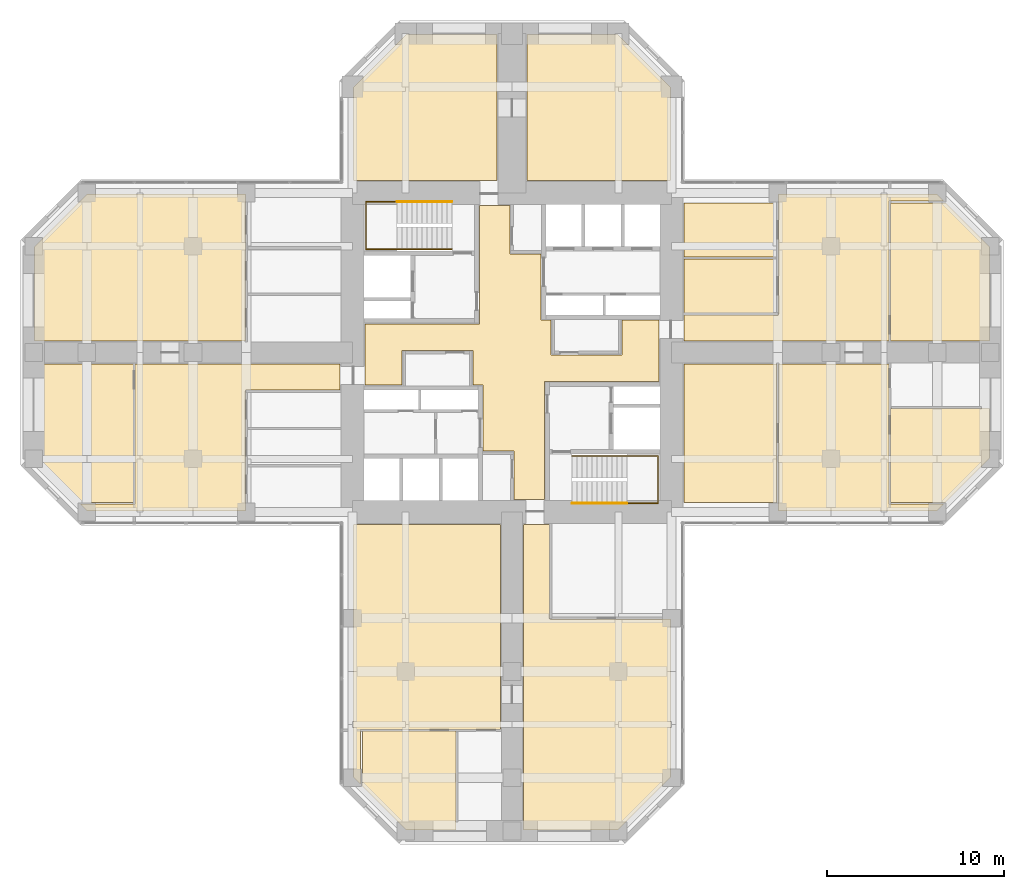
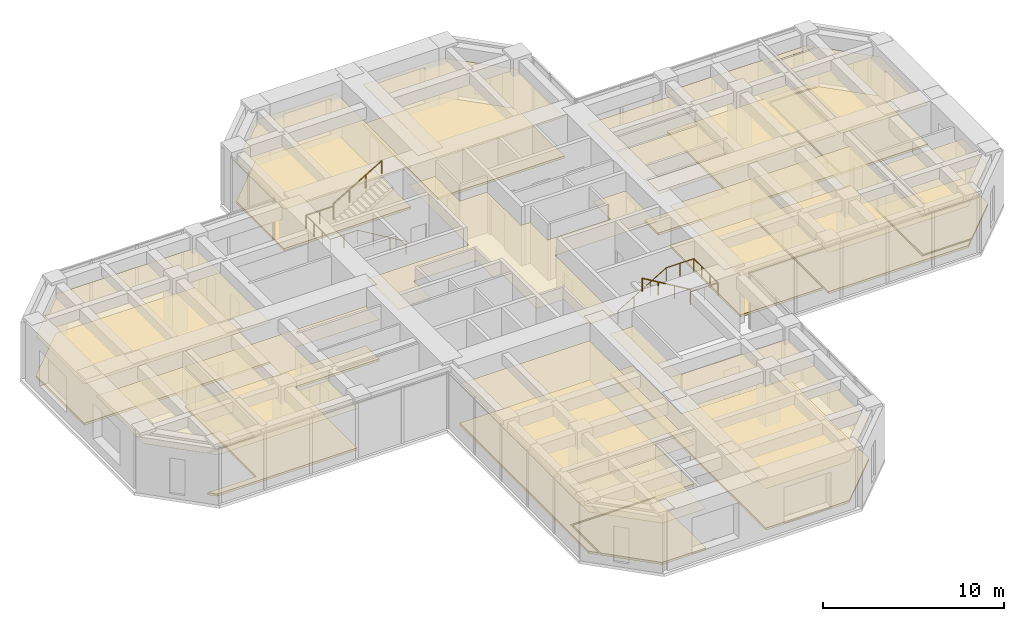
# One storey, part 12 of 12: 28 coverings, 4 railings.
"""IFC4 building model written with IfcOpenShell, lengths in metres."""

from ifc_helpers import new_model, si_unit, direction, frame, origin, origin_2d, place, context, subcontext, project, spatial, polyline, circle, outline, extrude, material, layer, layer_set, constituent, constituent_set, type_object, element, save


model = new_model("IFC4")

# Units and contexts
model_context = context("Model", 3, precision=1e-05, world=origin(), true_north=direction((0.0, 1.0)))
body_context = subcontext(model_context, "Body", "Model", "MODEL_VIEW")
ifc_project = project(units=[si_unit("LENGTHUNIT", "METRE"), si_unit("AREAUNIT", "SQUARE_METRE"), si_unit("VOLUMEUNIT", "CUBIC_METRE"), si_unit("PLANEANGLEUNIT", "RADIAN"), si_unit("MASSUNIT", "GRAM", prefix="KILO")], contexts=[model_context])

# Site, building, storey
site_placement = place(None, origin())
site = spatial("IfcSite", under=ifc_project, at=site_placement, CompositionType="ELEMENT")
building_placement = place(site_placement, origin())
building = spatial("IfcBuilding", under=site, at=building_placement, Name="Torre Cruceta", CompositionType="ELEMENT")
storey_placement = place(building_placement, frame((0.0, 0.0, 104.5)))
storey = spatial("IfcBuildingStorey", under=building, at=storey_placement, Name="L25", CompositionType="ELEMENT", Elevation=104.5)

# Railings
ifc_material_1 = material(Name="Stainless steel 1.4401", Category="steel")
railing_type = type_object("IfcRailingType", Name="HANDRAIL 900", PredefinedType="HANDRAIL", material=ifc_material_1)
railing_1_placement = place(storey_placement, frame((-3.39990234375, 5.8349609375, 0.166748046875)))
element("IfcRailing", 1, at=railing_1_placement, inside=storey, type_object=railing_type, Name="Handrail HR1 ST1 L25", PredefinedType="HANDRAIL", context=body_context, shape_type="SweptSolid", body=[
    extrude(circle(Radius=0.02392578125, at=origin_2d()), frame((0.0, 0.0, 0.8759765625), z_axis=(-0.859308565015, 0.0, 0.511457515432), x_axis=(0.0, -1.0, 0.0)), (0.0, 0.0, 1.0), 3.58447265625),
    extrude(circle(Radius=0.02392578125, at=origin_2d()), frame((-3.080078125, 0.0, 2.708984375), z_axis=(-1.0, 0.0, 0.0), x_axis=(0.0, -1.0, 0.0)), (0.0, 0.0, 1.0), 1.760009765625),
    extrude(circle(Radius=0.02392578125, at=origin_2d()), frame((-4.840087890625, 0.0, 2.708984375), z_axis=(0.0, 1.0, 0.0), x_axis=(-1.0, 0.0, 0.0)), (0.0, 0.0, 1.0), 2.679931640625),
    extrude(circle(Radius=0.02392578125, at=origin_2d()), frame((-4.840087890625, 2.679931640625, 2.708984375), z_axis=(1.0, 0.0, 0.0), x_axis=(0.0, 1.0, 0.0)), (0.0, 0.0, 1.0), 1.760009765625),
    extrude(circle(Radius=0.02099609375, at=origin_2d()), origin(), (0.0, 0.0, 1.0), 0.851806640625),
    extrude(circle(Radius=0.02099609375, at=origin_2d()), frame((-1.026611328125, 0.0, 0.611083984375)), (0.0, 0.0, 1.0), 0.851806640625),
    extrude(circle(Radius=0.02099609375, at=origin_2d()), frame((-2.053466796875, 0.0, 1.22216796875)), (0.0, 0.0, 1.0), 0.851806640625),
    extrude(circle(Radius=0.02099609375, at=origin_2d()), frame((-3.080078125, 0.0, 1.833251953125)), (0.0, 0.0, 1.0), 0.851806640625),
    extrude(circle(Radius=0.02099609375, at=origin_2d()), frame((-3.9599609375, 0.0, 1.833251953125)), (0.0, 0.0, 1.0), 0.851806640625),
    extrude(circle(Radius=0.02099609375, at=origin_2d()), frame((-4.840087890625, 0.0, 1.833251953125)), (0.0, 0.0, 1.0), 0.851806640625),
    extrude(circle(Radius=0.02099609375, at=origin_2d()), frame((-4.840087890625, 0.893310546875, 1.833251953125)), (0.0, 0.0, 1.0), 0.851806640625),
    extrude(circle(Radius=0.02099609375, at=origin_2d()), frame((-4.840087890625, 1.78662109375, 1.833251953125)), (0.0, 0.0, 1.0), 0.851806640625),
    extrude(circle(Radius=0.02099609375, at=origin_2d()), frame((-4.840087890625, 2.679931640625, 1.833251953125)), (0.0, 0.0, 1.0), 0.851806640625),
    extrude(circle(Radius=0.02099609375, at=origin_2d()), frame((-3.9599609375, 2.679931640625, 1.833251953125)), (0.0, 0.0, 1.0), 0.851806640625),
    extrude(circle(Radius=0.02099609375, at=origin_2d()), frame((-3.080078125, 2.679931640625, 1.833251953125)), (0.0, 0.0, 1.0), 0.851806640625),
])
railing_2_placement = place(storey_placement, frame((-6.47998046875, 8.514892578125, 2.166748046875)))
element("IfcRailing", 2, at=railing_2_placement, inside=storey, type_object=railing_type, Name="Handrail HR1 ST1 L25", PredefinedType="HANDRAIL", context=body_context, shape_type="SweptSolid", body=[
    extrude(circle(Radius=0.02392578125, at=origin_2d()), frame((0.0, 0.0, 0.8759765625), z_axis=(0.859308565015, 0.0, 0.511457515432), x_axis=(0.0, 1.0, 0.0)), (0.0, 0.0, 1.0), 3.58447265625),
    extrude(circle(Radius=0.02099609375, at=origin_2d()), origin(), (0.0, 0.0, 1.0), 0.851806640625),
    extrude(circle(Radius=0.02099609375, at=origin_2d()), frame((1.026611328125, 0.0, 0.611083984375)), (0.0, 0.0, 1.0), 0.851806640625),
    extrude(circle(Radius=0.02099609375, at=origin_2d()), frame((2.053466796875, 0.0, 1.22216796875)), (0.0, 0.0, 1.0), 0.851806640625),
    extrude(circle(Radius=0.02099609375, at=origin_2d()), frame((3.080078125, 0.0, 1.833251953125)), (0.0, 0.0, 1.0), 0.851806640625),
])
railing_3_placement = place(storey_placement, frame((3.39990234375, -5.8349609375, 0.166748046875)))
element("IfcRailing", 3, at=railing_3_placement, inside=storey, type_object=railing_type, Name="Handrail HR1 ST2 L25", PredefinedType="HANDRAIL", context=body_context, shape_type="SweptSolid", body=[
    extrude(circle(Radius=0.02392578125, at=origin_2d()), frame((0.0, 0.0, 0.8759765625), z_axis=(0.859308565015, 0.0, 0.511457515432), x_axis=(0.0, 1.0, 0.0)), (0.0, 0.0, 1.0), 3.58447265625),
    extrude(circle(Radius=0.02392578125, at=origin_2d()), frame((3.080078125, 0.0, 2.708984375), z_axis=(1.0, 0.0, 0.0), x_axis=(0.0, 1.0, 0.0)), (0.0, 0.0, 1.0), 1.760009765625),
    extrude(circle(Radius=0.02392578125, at=origin_2d()), frame((4.840087890625, 0.0, 2.708984375), z_axis=(0.0, -1.0, 0.0), x_axis=(1.0, 0.0, 0.0)), (0.0, 0.0, 1.0), 2.679931640625),
    extrude(circle(Radius=0.02392578125, at=origin_2d()), frame((4.840087890625, -2.679931640625, 2.708984375), z_axis=(-1.0, 0.0, 0.0), x_axis=(0.0, -1.0, 0.0)), (0.0, 0.0, 1.0), 1.760009765625),
    extrude(circle(Radius=0.02099609375, at=origin_2d()), origin(), (0.0, 0.0, 1.0), 0.851806640625),
    extrude(circle(Radius=0.02099609375, at=origin_2d()), frame((1.026611328125, 0.0, 0.611083984375)), (0.0, 0.0, 1.0), 0.851806640625),
    extrude(circle(Radius=0.02099609375, at=origin_2d()), frame((2.053466796875, 0.0, 1.22216796875)), (0.0, 0.0, 1.0), 0.851806640625),
    extrude(circle(Radius=0.02099609375, at=origin_2d()), frame((3.080078125, 0.0, 1.833251953125)), (0.0, 0.0, 1.0), 0.851806640625),
    extrude(circle(Radius=0.02099609375, at=origin_2d()), frame((3.9599609375, 0.0, 1.833251953125)), (0.0, 0.0, 1.0), 0.851806640625),
    extrude(circle(Radius=0.02099609375, at=origin_2d()), frame((4.840087890625, 0.0, 1.833251953125)), (0.0, 0.0, 1.0), 0.851806640625),
    extrude(circle(Radius=0.02099609375, at=origin_2d()), frame((4.840087890625, -0.893310546875, 1.833251953125)), (0.0, 0.0, 1.0), 0.851806640625),
    extrude(circle(Radius=0.02099609375, at=origin_2d()), frame((4.840087890625, -1.78662109375, 1.833251953125)), (0.0, 0.0, 1.0), 0.851806640625),
    extrude(circle(Radius=0.02099609375, at=origin_2d()), frame((4.840087890625, -2.679931640625, 1.833251953125)), (0.0, 0.0, 1.0), 0.851806640625),
    extrude(circle(Radius=0.02099609375, at=origin_2d()), frame((3.9599609375, -2.679931640625, 1.833251953125)), (0.0, 0.0, 1.0), 0.851806640625),
    extrude(circle(Radius=0.02099609375, at=origin_2d()), frame((3.080078125, -2.679931640625, 1.833251953125)), (0.0, 0.0, 1.0), 0.851806640625),
])
railing_4_placement = place(storey_placement, frame((6.47998046875, -8.514892578125, 2.166748046875)))
element("IfcRailing", 4, at=railing_4_placement, inside=storey, type_object=railing_type, Name="Handrail HR1 ST2 L25", PredefinedType="HANDRAIL", context=body_context, shape_type="SweptSolid", body=[
    extrude(circle(Radius=0.02392578125, at=origin_2d()), frame((0.0, 0.0, 0.8759765625), z_axis=(-0.859308565015, 0.0, 0.511457515432), x_axis=(0.0, -1.0, 0.0)), (0.0, 0.0, 1.0), 3.58447265625),
    extrude(circle(Radius=0.02099609375, at=origin_2d()), origin(), (0.0, 0.0, 1.0), 0.851806640625),
    extrude(circle(Radius=0.02099609375, at=origin_2d()), frame((-1.026611328125, 0.0, 0.611083984375)), (0.0, 0.0, 1.0), 0.851806640625),
    extrude(circle(Radius=0.02099609375, at=origin_2d()), frame((-2.053466796875, 0.0, 1.22216796875)), (0.0, 0.0, 1.0), 0.851806640625),
    extrude(circle(Radius=0.02099609375, at=origin_2d()), frame((-3.080078125, 0.0, 1.833251953125)), (0.0, 0.0, 1.0), 0.851806640625),
])

# Coverings
ifc_material_2 = material(Name="Steel DX51D", Category="steel")
ifc_constituent_1 = constituent(ifc_material_2, Name="Panel casing")
ifc_material_3 = material(Name="Calcium sulphate", Category="gypsum")
ifc_constituent_2 = constituent(ifc_material_3, Name="Panel core")
ifc_constituent_set = constituent_set(constituents=[ifc_constituent_1, ifc_constituent_2], Name="Raised access floor panel")
covering_type_1 = type_object("IfcCoveringType", Name="RAISED ACCESS FLOOR 150", PredefinedType="FLOORING", material=ifc_constituent_set)
covering_1_placement = place(storey_placement, origin())
element("IfcCovering", 5, at=covering_1_placement, inside=storey, type_object=covering_type_1, Name="Raised floor L25-027", PredefinedType="FLOORING", context=body_context, shape_type="SweptSolid", body=[
    extrude(outline(polyline([(-8.949951171875, 9.699951171875), (-8.949951171875, 14.979248046875), (-5.979248046875, 17.949951171875), (-0.85009765625, 17.949951171875), (-0.85009765625, 9.699951171875), (-8.949951171875, 9.699951171875)])), origin(), (0.0, 0.0, 1.0), 0.14990234375),
])
covering_2_placement = place(storey_placement, origin())
element("IfcCovering", 6, at=covering_2_placement, inside=storey, type_object=covering_type_1, Name="Raised floor L25-028", PredefinedType="FLOORING", context=body_context, shape_type="SweptSolid", body=[
    extrude(outline(polyline([(5.979248046875, 17.949951171875), (8.949951171875, 14.979248046875), (8.949951171875, 9.699951171875), (0.85009765625, 9.699951171875), (0.85009765625, 17.949951171875), (5.979248046875, 17.949951171875)])), origin(), (0.0, 0.0, 1.0), 0.14990234375),
])
covering_3_placement = place(storey_placement, origin())
element("IfcCovering", 7, at=covering_3_placement, inside=storey, type_object=covering_type_1, Name="Raised floor L25-031", PredefinedType="FLOORING", context=body_context, shape_type="SweptSolid", body=[
    extrude(outline(polyline([(9.699951171875, -8.449951171875), (9.699951171875, -0.64990234375), (14.949951171875, -0.64990234375), (14.949951171875, -8.449951171875), (9.699951171875, -8.449951171875)])), origin(), (0.0, 0.0, 1.0), 0.14990234375),
])
covering_4_placement = place(storey_placement, origin())
element("IfcCovering", 8, at=covering_4_placement, inside=storey, type_object=covering_type_1, Name="Raised floor L25-032", PredefinedType="FLOORING", context=body_context, shape_type="SweptSolid", body=[
    extrude(outline(polyline([(26.949951171875, 0.64990234375), (21.3701171875, 0.64990234375), (21.3701171875, 8.449951171875), (24.479248046875, 8.449951171875), (26.949951171875, 5.979248046875), (26.949951171875, 0.64990234375)])), origin(), (0.0, 0.0, 1.0), 0.14990234375),
])
covering_5_placement = place(storey_placement, origin())
element("IfcCovering", 9, at=covering_5_placement, inside=storey, type_object=covering_type_1, Name="Raised floor L25-034", PredefinedType="FLOORING", context=body_context, shape_type="SweptSolid", body=[
    extrude(outline(polyline([(24.479248046875, -8.449951171875), (21.3701171875, -8.449951171875), (21.3701171875, -3.16796875), (26.949951171875, -3.16796875), (26.949951171875, -5.979248046875), (24.479248046875, -8.449951171875)])), origin(), (0.0, 0.0, 1.0), 0.14990234375),
])
covering_6_placement = place(storey_placement, origin())
element("IfcCovering", 10, at=covering_6_placement, inside=storey, type_object=covering_type_1, Name="Raised floor L25-035", PredefinedType="FLOORING", context=body_context, shape_type="SweptSolid", body=[
    extrude(outline(polyline([(9.699951171875, 2.125), (15.050048828125, 2.125), (15.050048828125, 8.949951171875), (23.979248046875, 8.949951171875), (24.37939453125, 8.550048828125), (21.27001953125, 8.550048828125), (21.27001953125, 0.64990234375), (9.699951171875, 0.64990234375), (9.699951171875, 2.125)])), origin(), (0.0, 0.0, 1.0), 0.14990234375),
])
covering_7_placement = place(storey_placement, origin())
element("IfcCovering", 11, at=covering_7_placement, inside=storey, type_object=covering_type_1, Name="Raised floor L25-036", PredefinedType="FLOORING", context=body_context, shape_type="SweptSolid", body=[
    extrude(outline(polyline([(15.050048828125, -8.949951171875), (15.050048828125, -0.64990234375), (21.27001953125, -0.64990234375), (21.27001953125, -8.550048828125), (24.37939453125, -8.550048828125), (23.979248046875, -8.949951171875), (15.050048828125, -8.949951171875)])), origin(), (0.0, 0.0, 1.0), 0.14990234375),
])
covering_8_placement = place(storey_placement, origin())
element("IfcCovering", 12, at=covering_8_placement, inside=storey, type_object=covering_type_1, Name="Raised floor L25-039", PredefinedType="FLOORING", context=body_context, shape_type="SweptSolid", body=[
    extrude(outline(polyline([(-8.449951171875, -24.479248046875), (-8.449951171875, -21.3701171875), (-3.16796875, -21.3701171875), (-3.16796875, -26.949951171875), (-5.979248046875, -26.949951171875), (-8.449951171875, -24.479248046875)])), origin(), (0.0, 0.0, 1.0), 0.14990234375),
])
covering_9_placement = place(storey_placement, origin())
element("IfcCovering", 13, at=covering_9_placement, inside=storey, type_object=covering_type_1, Name="Raised floor L25-040", PredefinedType="FLOORING", context=body_context, shape_type="SweptSolid", body=[
    extrude(outline(polyline([(0.64990234375, -26.949951171875), (0.64990234375, -9.699951171875), (2.125, -9.699951171875), (2.125, -15.050048828125), (8.949951171875, -15.050048828125), (8.949951171875, -23.979248046875), (5.979248046875, -26.949951171875), (0.64990234375, -26.949951171875)])), origin(), (0.0, 0.0, 1.0), 0.14990234375),
])
covering_10_placement = place(storey_placement, origin())
element("IfcCovering", 14, at=covering_10_placement, inside=storey, type_object=covering_type_1, Name="Raised floor L25-041", PredefinedType="FLOORING", context=body_context, shape_type="SweptSolid", body=[
    extrude(outline(polyline([(-8.550048828125, -21.27001953125), (-8.550048828125, -24.37939453125), (-8.949951171875, -23.979248046875), (-8.949951171875, -9.699951171875), (-0.64990234375, -9.699951171875), (-0.64990234375, -21.27001953125), (-8.550048828125, -21.27001953125)])), origin(), (0.0, 0.0, 1.0), 0.14990234375),
])
covering_11_placement = place(storey_placement, origin())
element("IfcCovering", 15, at=covering_11_placement, inside=storey, type_object=covering_type_1, Name="Raised floor L25-049", PredefinedType="FLOORING", context=body_context, shape_type="SweptSolid", body=[
    extrude(outline(polyline([(-9.699951171875, -2.125), (-15.050048828125, -2.125), (-15.050048828125, -8.949951171875), (-23.979248046875, -8.949951171875), (-24.37939453125, -8.550048828125), (-21.27001953125, -8.550048828125), (-21.27001953125, -0.64990234375), (-9.699951171875, -0.64990234375), (-9.699951171875, -2.125)])), origin(), (0.0, 0.0, 1.0), 0.14990234375),
])
covering_12_placement = place(storey_placement, origin())
element("IfcCovering", 16, at=covering_12_placement, inside=storey, type_object=covering_type_1, Name="Raised floor L25-050", PredefinedType="FLOORING", context=body_context, shape_type="SweptSolid", body=[
    extrude(outline(polyline([(-23.979248046875, 8.949951171875), (-15.050048828125, 8.949951171875), (-15.050048828125, 0.64990234375), (-26.949951171875, 0.64990234375), (-26.949951171875, 5.979248046875), (-23.979248046875, 8.949951171875)])), origin(), (0.0, 0.0, 1.0), 0.14990234375),
])
ifc_material_4 = material(Name="Mineral fibre ceiling tile", Category="gypsum")
ifc_layer = layer(ifc_material_4, 0.02001953125)
ifc_layer_set = layer_set([ifc_layer], Name="Mineral fibre ceiling tile")
covering_type_2 = type_object("IfcCoveringType", Name="SUSPENDED CEILING 20", PredefinedType="CEILING", material=ifc_layer_set)
covering_13_placement = place(storey_placement, frame((0.0, 0.0, 2.780029296875)))
element("IfcCovering", 17, at=covering_13_placement, inside=storey, type_object=covering_type_2, Name="Ceiling L25-001", PredefinedType="CEILING", context=body_context, shape_type="SweptSolid", body=[
    extrude(outline(polyline([(1.824951171875, -8.300048828125), (0.125, -8.300048828125), (0.125, -5.550048828125), (-1.625, -5.550048828125), (-1.625, -1.824951171875), (-2.199951171875, -1.824951171875), (-2.199951171875, 0.125), (-6.199951171875, 0.125), (-6.199951171875, -1.824951171875), (-8.300048828125, -1.824951171875), (-8.300048828125, 1.625), (-1.824951171875, 1.625), (-1.824951171875, 8.300048828125), (-0.125, 8.300048828125), (-0.125, 5.550048828125), (1.625, 5.550048828125), (1.625, 1.824951171875), (2.199951171875, 1.824951171875), (2.199951171875, -0.125), (6.199951171875, -0.125), (6.199951171875, 1.824951171875), (8.300048828125, 1.824951171875), (8.300048828125, -1.625), (1.824951171875, -1.625), (1.824951171875, -8.300048828125)])), origin(), (0.0, 0.0, 1.0), 0.02001953125),
])
covering_14_placement = place(storey_placement, frame((0.0, 0.0, 2.780029296875)))
element("IfcCovering", 18, at=covering_14_placement, inside=storey, type_object=covering_type_2, Name="Ceiling L25-027", PredefinedType="CEILING", context=body_context, shape_type="SweptSolid", body=[
    extrude(outline(polyline([(-8.949951171875, 9.699951171875), (-8.949951171875, 14.979248046875), (-5.979248046875, 17.949951171875), (-0.85009765625, 17.949951171875), (-0.85009765625, 9.699951171875), (-8.949951171875, 9.699951171875)])), origin(), (0.0, 0.0, 1.0), 0.02001953125),
])
covering_15_placement = place(storey_placement, frame((0.0, 0.0, 2.780029296875)))
element("IfcCovering", 19, at=covering_15_placement, inside=storey, type_object=covering_type_2, Name="Ceiling L25-028", PredefinedType="CEILING", context=body_context, shape_type="SweptSolid", body=[
    extrude(outline(polyline([(5.979248046875, 17.949951171875), (8.949951171875, 14.979248046875), (8.949951171875, 9.699951171875), (0.85009765625, 9.699951171875), (0.85009765625, 17.949951171875), (5.979248046875, 17.949951171875)])), origin(), (0.0, 0.0, 1.0), 0.02001953125),
])
covering_16_placement = place(storey_placement, frame((0.0, 0.0, 2.780029296875)))
element("IfcCovering", 20, at=covering_16_placement, inside=storey, type_object=covering_type_2, Name="Ceiling L25-029", PredefinedType="CEILING", context=body_context, shape_type="SweptSolid", body=[
    extrude(outline(polyline([(9.699951171875, 2.22509765625), (9.699951171875, 5.28759765625), (14.949951171875, 5.28759765625), (14.949951171875, 2.22509765625), (9.699951171875, 2.22509765625)])), origin(), (0.0, 0.0, 1.0), 0.02001953125),
])
covering_17_placement = place(storey_placement, frame((0.0, 0.0, 2.780029296875)))
element("IfcCovering", 21, at=covering_17_placement, inside=storey, type_object=covering_type_2, Name="Ceiling L25-030", PredefinedType="CEILING", context=body_context, shape_type="SweptSolid", body=[
    extrude(outline(polyline([(9.699951171875, 5.387451171875), (9.699951171875, 8.449951171875), (14.949951171875, 8.449951171875), (14.949951171875, 5.387451171875), (9.699951171875, 5.387451171875)])), origin(), (0.0, 0.0, 1.0), 0.02001953125),
])
covering_18_placement = place(storey_placement, frame((0.0, 0.0, 2.780029296875)))
element("IfcCovering", 22, at=covering_18_placement, inside=storey, type_object=covering_type_2, Name="Ceiling L25-031", PredefinedType="CEILING", context=body_context, shape_type="SweptSolid", body=[
    extrude(outline(polyline([(9.699951171875, -8.449951171875), (9.699951171875, -0.64990234375), (14.949951171875, -0.64990234375), (14.949951171875, -8.449951171875), (9.699951171875, -8.449951171875)])), origin(), (0.0, 0.0, 1.0), 0.02001953125),
])
covering_19_placement = place(storey_placement, frame((0.0, 0.0, 2.780029296875)))
element("IfcCovering", 23, at=covering_19_placement, inside=storey, type_object=covering_type_2, Name="Ceiling L25-032", PredefinedType="CEILING", context=body_context, shape_type="SweptSolid", body=[
    extrude(outline(polyline([(26.949951171875, 0.64990234375), (21.3701171875, 0.64990234375), (21.3701171875, 8.449951171875), (24.479248046875, 8.449951171875), (26.949951171875, 5.979248046875), (26.949951171875, 0.64990234375)])), origin(), (0.0, 0.0, 1.0), 0.02001953125),
])
covering_20_placement = place(storey_placement, frame((0.0, 0.0, 2.780029296875)))
element("IfcCovering", 24, at=covering_20_placement, inside=storey, type_object=covering_type_2, Name="Ceiling L25-034", PredefinedType="CEILING", context=body_context, shape_type="SweptSolid", body=[
    extrude(outline(polyline([(24.479248046875, -8.449951171875), (21.3701171875, -8.449951171875), (21.3701171875, -3.16796875), (26.949951171875, -3.16796875), (26.949951171875, -5.979248046875), (24.479248046875, -8.449951171875)])), origin(), (0.0, 0.0, 1.0), 0.02001953125),
])
covering_21_placement = place(storey_placement, frame((0.0, 0.0, 2.780029296875)))
element("IfcCovering", 25, at=covering_21_placement, inside=storey, type_object=covering_type_2, Name="Ceiling L25-035", PredefinedType="CEILING", context=body_context, shape_type="SweptSolid", body=[
    extrude(outline(polyline([(9.699951171875, 2.125), (15.050048828125, 2.125), (15.050048828125, 8.949951171875), (23.979248046875, 8.949951171875), (24.37939453125, 8.550048828125), (21.27001953125, 8.550048828125), (21.27001953125, 0.64990234375), (9.699951171875, 0.64990234375), (9.699951171875, 2.125)])), origin(), (0.0, 0.0, 1.0), 0.02001953125),
])
covering_22_placement = place(storey_placement, frame((0.0, 0.0, 2.780029296875)))
element("IfcCovering", 26, at=covering_22_placement, inside=storey, type_object=covering_type_2, Name="Ceiling L25-036", PredefinedType="CEILING", context=body_context, shape_type="SweptSolid", body=[
    extrude(outline(polyline([(15.050048828125, -8.949951171875), (15.050048828125, -0.64990234375), (21.27001953125, -0.64990234375), (21.27001953125, -8.550048828125), (24.37939453125, -8.550048828125), (23.979248046875, -8.949951171875), (15.050048828125, -8.949951171875)])), origin(), (0.0, 0.0, 1.0), 0.02001953125),
])
covering_23_placement = place(storey_placement, frame((0.0, 0.0, 2.780029296875)))
element("IfcCovering", 27, at=covering_23_placement, inside=storey, type_object=covering_type_2, Name="Ceiling L25-039", PredefinedType="CEILING", context=body_context, shape_type="SweptSolid", body=[
    extrude(outline(polyline([(-8.449951171875, -24.479248046875), (-8.449951171875, -21.3701171875), (-3.16796875, -21.3701171875), (-3.16796875, -26.949951171875), (-5.979248046875, -26.949951171875), (-8.449951171875, -24.479248046875)])), origin(), (0.0, 0.0, 1.0), 0.02001953125),
])
covering_24_placement = place(storey_placement, frame((0.0, 0.0, 2.780029296875)))
element("IfcCovering", 28, at=covering_24_placement, inside=storey, type_object=covering_type_2, Name="Ceiling L25-040", PredefinedType="CEILING", context=body_context, shape_type="SweptSolid", body=[
    extrude(outline(polyline([(0.64990234375, -26.949951171875), (0.64990234375, -9.699951171875), (2.125, -9.699951171875), (2.125, -15.050048828125), (8.949951171875, -15.050048828125), (8.949951171875, -23.979248046875), (5.979248046875, -26.949951171875), (0.64990234375, -26.949951171875)])), origin(), (0.0, 0.0, 1.0), 0.02001953125),
])
covering_25_placement = place(storey_placement, frame((0.0, 0.0, 2.780029296875)))
element("IfcCovering", 29, at=covering_25_placement, inside=storey, type_object=covering_type_2, Name="Ceiling L25-041", PredefinedType="CEILING", context=body_context, shape_type="SweptSolid", body=[
    extrude(outline(polyline([(-8.550048828125, -21.27001953125), (-8.550048828125, -24.37939453125), (-8.949951171875, -23.979248046875), (-8.949951171875, -9.699951171875), (-0.64990234375, -9.699951171875), (-0.64990234375, -21.27001953125), (-8.550048828125, -21.27001953125)])), origin(), (0.0, 0.0, 1.0), 0.02001953125),
])
covering_26_placement = place(storey_placement, frame((0.0, 0.0, 2.780029296875)))
element("IfcCovering", 30, at=covering_26_placement, inside=storey, type_object=covering_type_2, Name="Ceiling L25-048", PredefinedType="CEILING", context=body_context, shape_type="SweptSolid", body=[
    extrude(outline(polyline([(-26.949951171875, -0.64990234375), (-21.3701171875, -0.64990234375), (-21.3701171875, -8.449951171875), (-24.479248046875, -8.449951171875), (-26.949951171875, -5.979248046875), (-26.949951171875, -0.64990234375)])), origin(), (0.0, 0.0, 1.0), 0.02001953125),
])
covering_27_placement = place(storey_placement, frame((0.0, 0.0, 2.780029296875)))
element("IfcCovering", 31, at=covering_27_placement, inside=storey, type_object=covering_type_2, Name="Ceiling L25-049", PredefinedType="CEILING", context=body_context, shape_type="SweptSolid", body=[
    extrude(outline(polyline([(-9.699951171875, -2.125), (-15.050048828125, -2.125), (-15.050048828125, -8.949951171875), (-23.979248046875, -8.949951171875), (-24.37939453125, -8.550048828125), (-21.27001953125, -8.550048828125), (-21.27001953125, -0.64990234375), (-9.699951171875, -0.64990234375), (-9.699951171875, -2.125)])), origin(), (0.0, 0.0, 1.0), 0.02001953125),
])
covering_28_placement = place(storey_placement, frame((0.0, 0.0, 2.780029296875)))
element("IfcCovering", 32, at=covering_28_placement, inside=storey, type_object=covering_type_2, Name="Ceiling L25-050", PredefinedType="CEILING", context=body_context, shape_type="SweptSolid", body=[
    extrude(outline(polyline([(-23.979248046875, 8.949951171875), (-15.050048828125, 8.949951171875), (-15.050048828125, 0.64990234375), (-26.949951171875, 0.64990234375), (-26.949951171875, 5.979248046875), (-23.979248046875, 8.949951171875)])), origin(), (0.0, 0.0, 1.0), 0.02001953125),
])

save(model, "model.ifc")
